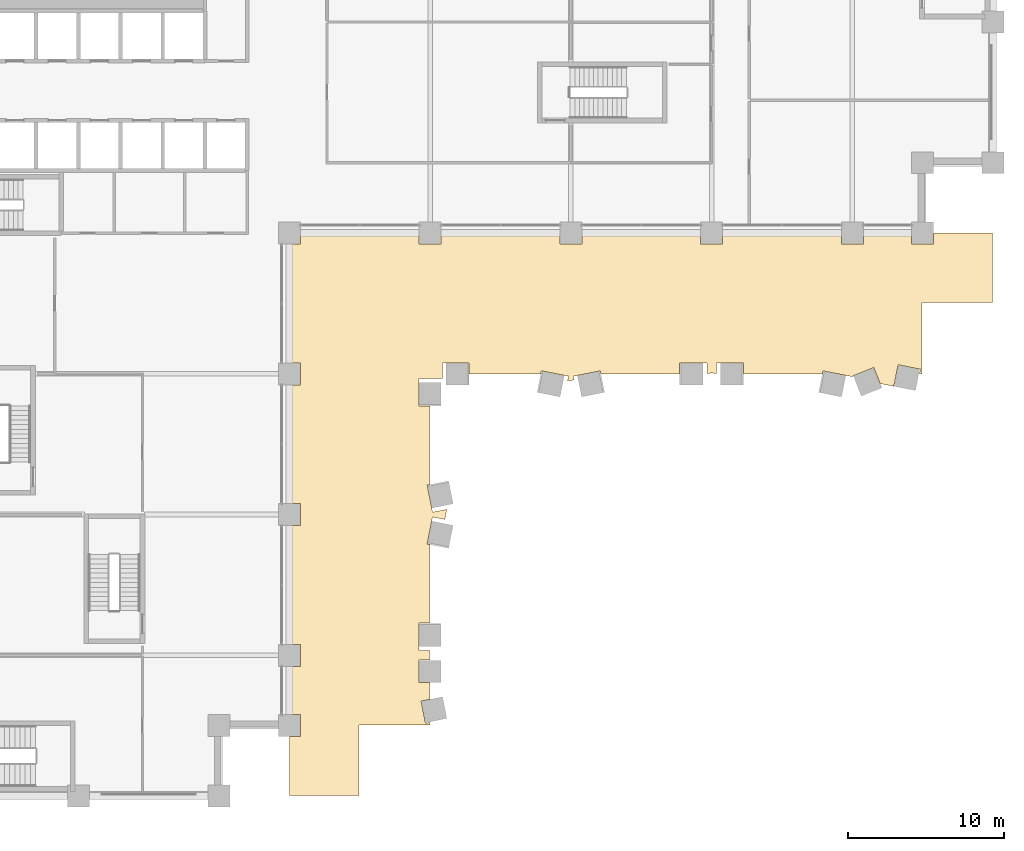
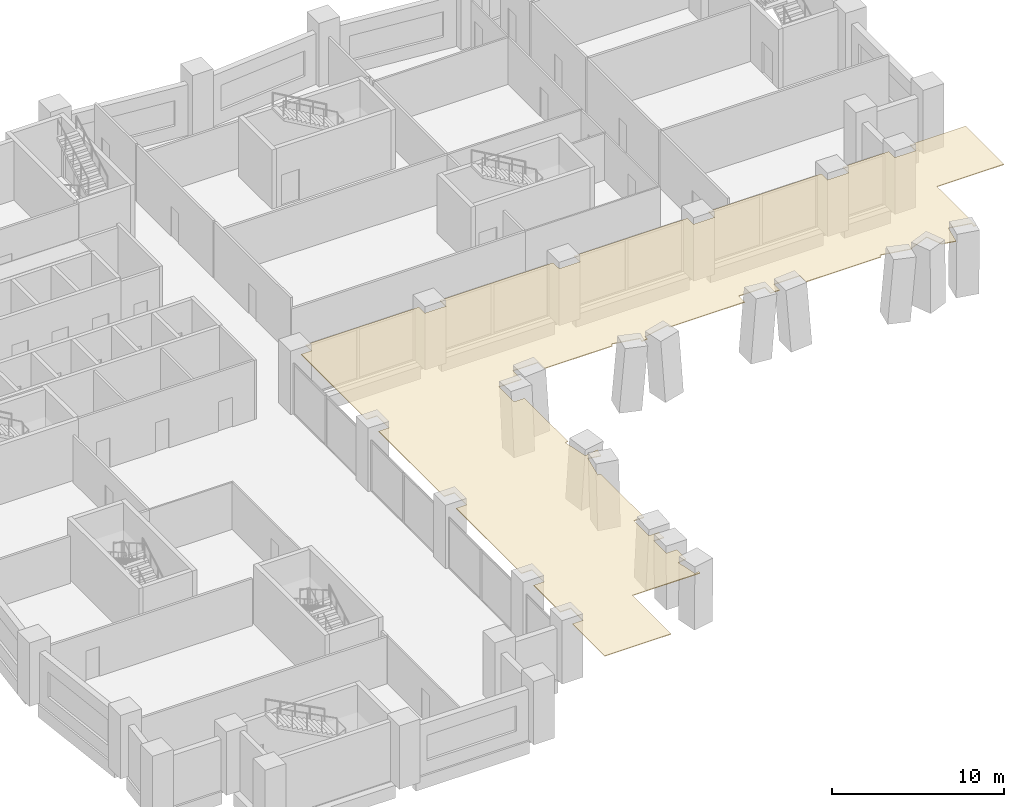
# One storey, part 16 of 18: 1 covering.
"""IFC4 building model written with IfcOpenShell, lengths in metres."""

from ifc_helpers import new_model, si_unit, direction, frame, origin, place, context, subcontext, project, spatial, polyline, outline, extrude, material, layer, layer_set, type_object, element, save


model = new_model("IFC4")

# Units and contexts
model_context = context("Model", 3, precision=1e-05, world=origin(), true_north=direction((0.0, 1.0)))
body_context = subcontext(model_context, "Body", "Model", "MODEL_VIEW")
ifc_project = project(units=[si_unit("LENGTHUNIT", "METRE"), si_unit("AREAUNIT", "SQUARE_METRE"), si_unit("VOLUMEUNIT", "CUBIC_METRE"), si_unit("PLANEANGLEUNIT", "RADIAN"), si_unit("MASSUNIT", "GRAM", prefix="KILO")], contexts=[model_context])

# Site, building, storey
site_placement = place(None, origin())
site = spatial("IfcSite", under=ifc_project, at=site_placement, CompositionType="ELEMENT")
building_placement = place(site_placement, origin())
building = spatial("IfcBuilding", under=site, at=building_placement, Name="Brondeck Convention Tower", CompositionType="ELEMENT")
storey_placement = place(building_placement, frame((0.0, 0.0, 27.5)))
storey = spatial("IfcBuildingStorey", under=building, at=storey_placement, Name="L04", CompositionType="ELEMENT", Elevation=27.5)

# Covering
ifc_material = material(Name="Aluminium, bronze anodised", Category="aluminium")
ifc_layer = layer(ifc_material, 0.050048828125)
ifc_layer_set = layer_set([ifc_layer], Name="Arcade soffit panel")
covering_type = type_object("IfcCoveringType", Name="Arcade soffit panel", PredefinedType="CEILING", material=ifc_layer_set)
covering_placement = place(storey_placement, frame((0.0, 0.0, 4.0)))
element("IfcCovering", 1, at=covering_placement, inside=storey, type_object=covering_type, Name="ENV-SOFFIT-01", PredefinedType="CEILING", context=body_context, shape_type="SweptSolid", body=[
    extrude(outline(polyline([(31.449951171875, 0.050048828125), (31.449951171875, 4.550048828125), (36.0, 4.550048828125), (36.0, 4.7138671875), (35.703125, 4.654541015625), (35.419677734375, 6.072021484375), (36.0, 6.18798828125), (36.0, 7.262939453125), (35.298095703125, 7.262939453125), (35.298095703125, 8.701904296875), (35.9794921875, 8.701904296875), (35.9501953125, 8.9951171875), (35.949951171875, 9.0), (35.9501953125, 9.0048828125), (35.979736328125, 9.300048828125), (35.298095703125, 9.300048828125), (35.298095703125, 11.051513671875), (36.0, 11.051513671875), (36.0, 16.0751953125), (35.806884765625, 16.114013671875), (36.152587890625, 17.84326171875), (36.941162109375, 17.685546875), (37.072265625, 18.3408203125), (36.152587890625, 18.15673828125), (35.806884765625, 19.885986328125), (36.0, 19.9248046875), (36.0, 24.948486328125), (35.298095703125, 24.948486328125), (35.298095703125, 26.699951171875), (36.79931640625, 26.699951171875), (36.79931640625, 27.701904296875), (38.48193359375, 27.701904296875), (38.48193359375, 27.0), (43.0751953125, 27.0), (43.114013671875, 27.193115234375), (44.84326171875, 26.847412109375), (44.778564453125, 26.523681640625), (45.20458984375, 26.60888671875), (45.15673828125, 26.847412109375), (46.885986328125, 27.193115234375), (46.9248046875, 27.0), (51.948486328125, 27.0), (51.948486328125, 27.701904296875), (53.699951171875, 27.701904296875), (53.699951171875, 27.020263671875), (53.9951171875, 27.0498046875), (54.0, 27.050048828125), (54.0048828125, 27.0498046875), (54.300048828125, 27.020263671875), (54.300048828125, 27.701904296875), (56.051513671875, 27.701904296875), (56.051513671875, 27.0), (61.0751953125, 27.0), (61.114013671875, 27.193115234375), (63.03759765625, 26.808349609375), (63.01611328125, 26.862548828125), (64.374755859375, 27.406005859375), (64.786376953125, 26.376708984375), (65.65283203125, 26.20361328125), (65.927978515625, 27.580322265625), (67.345458984375, 27.296875), (67.2861328125, 27.0), (67.449951171875, 27.0), (67.449951171875, 31.550048828125), (71.949951171875, 31.550048828125), (71.949951171875, 36.0), (68.201904296875, 36.0), (68.201904296875, 35.298095703125), (66.798095703125, 35.298095703125), (66.798095703125, 36.0), (63.701904296875, 36.0), (63.701904296875, 35.298095703125), (62.298095703125, 35.298095703125), (62.298095703125, 36.0), (54.701904296875, 36.0), (54.701904296875, 35.298095703125), (53.298095703125, 35.298095703125), (53.298095703125, 36.0), (45.701904296875, 36.0), (45.701904296875, 35.298095703125), (44.298095703125, 35.298095703125), (44.298095703125, 36.0), (36.701904296875, 36.0), (36.701904296875, 35.298095703125), (35.298095703125, 35.298095703125), (35.298095703125, 36.0), (27.701904296875, 36.0), (27.701904296875, 35.298095703125), (27.0, 35.298095703125), (27.0, 27.701904296875), (27.701904296875, 27.701904296875), (27.701904296875, 26.298095703125), (27.0, 26.298095703125), (27.0, 18.701904296875), (27.701904296875, 18.701904296875), (27.701904296875, 17.298095703125), (27.0, 17.298095703125), (27.0, 9.701904296875), (27.701904296875, 9.701904296875), (27.701904296875, 8.298095703125), (27.0, 8.298095703125), (27.0, 5.201904296875), (27.701904296875, 5.201904296875), (27.701904296875, 3.798095703125), (27.0, 3.798095703125), (27.0, 0.050048828125), (31.449951171875, 0.050048828125)])), origin(), (0.0, 0.0, 1.0), 0.050048828125),
])

save(model, "model.ifc")
